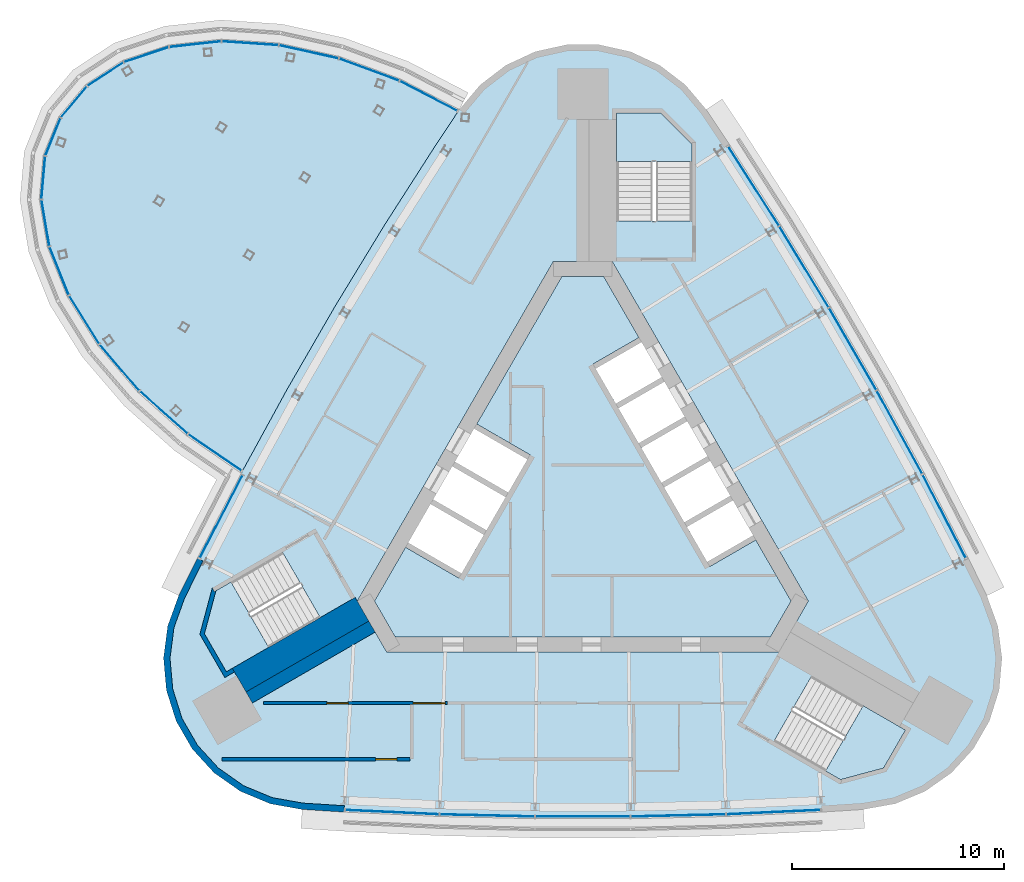
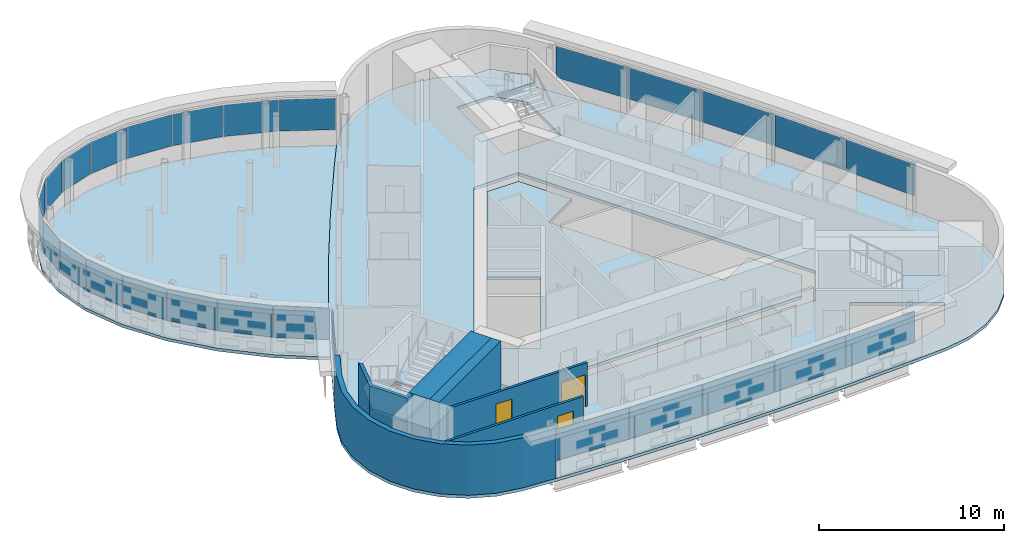
# One storey, part 8 of 13: 27 plates, 6 slabs, 6 walls, 3 doors, 3 openings, 7 elements without a shape of their own.
"""IFC4 building model written with IfcOpenShell, lengths in metres."""

from ifc_helpers import new_model, si_unit, direction, frame, frame_2d, origin, origin_2d, place, context, subcontext, project, spatial, polyline, rectangle, outline, extrude, material, layer, layer_set, type_object, element, fill, aggregate, save


model = new_model("IFC4")

# Units and contexts
model_context = context("Model", 3, precision=1e-05, world=origin(), true_north=direction((0.0, 1.0)))
body_context = subcontext(model_context, "Body", "Model", "MODEL_VIEW")
ifc_project = project(units=[si_unit("LENGTHUNIT", "METRE"), si_unit("AREAUNIT", "SQUARE_METRE"), si_unit("VOLUMEUNIT", "CUBIC_METRE"), si_unit("PLANEANGLEUNIT", "RADIAN"), si_unit("MASSUNIT", "GRAM", prefix="KILO")], contexts=[model_context])

# Site, building, storey
site_placement = place(None, origin())
site = spatial("IfcSite", under=ifc_project, at=site_placement, CompositionType="ELEMENT")
building_placement = place(site_placement, origin())
building = spatial("IfcBuilding", under=site, at=building_placement, Name="Noor Cloister Tower", CompositionType="ELEMENT")
storey_placement = place(building_placement, frame((0.0, 0.0, 263.39990234375)))
storey = spatial("IfcBuildingStorey", under=building, at=storey_placement, Name="L67", CompositionType="ELEMENT", Elevation=263.39990234375)

# Slabs
ifc_material_1 = material(Name="Concrete C40/50", Category="concrete")
ifc_layer_1 = layer(ifc_material_1, 0.199951171875)
ifc_layer_set_1 = layer_set([ifc_layer_1], Name="Core floor slab 200 C40/50")
slab_type_1 = type_object("IfcSlabType", Name="Core floor slab 200 C40/50", PredefinedType="FLOOR", material=ifc_layer_set_1)
slab_1_placement = place(storey_placement, frame((0.0, 0.0, -0.199951171875)))
element("IfcSlab", 1, at=slab_1_placement, inside=storey, type_object=slab_type_1, Name="Core floor L67", PredefinedType="FLOOR", context=body_context, shape_type="SweptSolid", body=[
    extrude(outline(polyline([(2.643798828125, 7.877197265625), (0.9814453125, 10.75634765625), (-0.9814453125, 10.75634765625), (-4.993896484375, 3.806884765625), (-2.482421875, 2.35693359375), (-5.832275390625, -3.4453125), (-8.34375, -1.995361328125), (-9.80615234375, -4.5283203125), (-8.82470703125, -6.228271484375), (8.82470703125, -6.228271484375), (9.80615234375, -4.5283203125), (8.143798828125, -1.64892578125), (5.978759765625, -2.89892578125), (0.478759765625, 6.627197265625), (2.643798828125, 7.877197265625)])), origin(), (0.0, 0.0, 1.0), 0.199951171875),
])
ifc_material_2 = material(Name="Concrete C40/50", Category="concrete")
ifc_layer_2 = layer(ifc_material_2, 0.199951171875)
ifc_layer_set_2 = layer_set([ifc_layer_2], Name="Floor slab 200 C40/50")
slab_type_2 = type_object("IfcSlabType", Name="Floor slab 200 C40/50", PredefinedType="FLOOR", material=ifc_layer_set_2)
slab_2_placement = place(storey_placement, frame((0.0, 0.0, -0.199951171875)))
element("IfcSlab", 2, at=slab_2_placement, inside=storey, type_object=slab_type_2, Name="Floor slab L67", PredefinedType="FLOOR", context=body_context, shape_type="SweptSolid", body=[
    extrude(outline(polyline([(5.809814453125, 18.609619140625), (4.830078125, 19.771484375), (3.62255859375, 20.69482421875), (2.244140625, 21.33544921875), (0.760009765625, 21.66357421875), (-0.760009765625, 21.66357421875), (-2.244140625, 21.33544921875), (-3.62255859375, 20.69482421875), (-4.830078125, 19.771484375), (-5.809814453125, 18.609619140625), (-6.9013671875, 16.967529296875), (-9.32958984375, 13.178955078125), (-11.669189453125, 9.335205078125), (-13.919189453125, 5.438232421875), (-16.078125, 1.489990234375), (-18.14501953125, -2.507080078125), (-19.021240234375, -4.2734375), (-19.53759765625, -5.702880859375), (-19.7333984375, -7.210205078125), (-19.59912109375, -8.724365234375), (-19.14111328125, -10.173583984375), (-18.381103515625, -11.489990234375), (-17.35498046875, -12.611083984375), (-16.11083984375, -13.484619140625), (-14.707763671875, -14.068603515625), (-13.21142578125, -14.336181640625), (-11.24365234375, -14.46044921875), (-6.74853515625, -14.669189453125), (-2.25, -14.7734375), (2.25, -14.7734375), (6.74853515625, -14.669189453125), (11.24365234375, -14.46044921875), (13.21142578125, -14.336181640625), (14.707763671875, -14.068603515625), (16.11083984375, -13.484619140625), (17.35498046875, -12.611083984375), (18.381103515625, -11.489990234375), (19.14111328125, -10.173583984375), (19.59912109375, -8.724365234375), (19.7333984375, -7.210205078125), (19.53759765625, -5.702880859375), (19.021240234375, -4.2734375), (18.14501953125, -2.507080078125), (16.078125, 1.489990234375), (13.919189453125, 5.438232421875), (11.669189453125, 9.335205078125), (9.32958984375, 13.178955078125), (6.9013671875, 16.967529296875), (5.809814453125, 18.609619140625)]), holes=[polyline([(8.999755859375, -11.126220703125), (12.131591796875, -12.934326171875), (14.1572265625, -12.3916015625), (15.19091796875, -10.601318359375), (10.774658203125, -8.0517578125), (8.999755859375, -11.126220703125)]), polyline([(-17.81005859375, -6.064697265625), (-16.776611328125, -7.85498046875), (-12.3603515625, -5.305419921875), (-14.13525390625, -2.23095703125), (-16.662841796875, -3.690185546875), (-17.267333984375, -4.039306640625), (-17.81005859375, -6.064697265625)]), polyline([(-10.6142578125, -4.5283203125), (-9.228759765625, -6.92822265625), (9.228759765625, -6.92822265625), (10.6142578125, -4.5283203125), (1.3857421875, 11.456298828125), (-1.3857421875, 11.456298828125), (-10.6142578125, -4.5283203125)]), polyline([(3.65283203125, 18.456298828125), (1.585693359375, 18.456298828125), (1.585693359375, 13.35693359375), (5.135498046875, 13.35693359375), (5.135498046875, 16.9736328125), (3.65283203125, 18.456298828125)])]), origin(), (0.0, 0.0, 1.0), 0.199951171875),
])

# Curtain wall, plate
ifc_material_3 = material(Name="Aluminium 6063-T6 anodised", Category="aluminium")
curtain_wall_type_1 = type_object("IfcCurtainWallType", Name="Ribbon curtain wall, upper tower CW5", PredefinedType="NOTDEFINED", material=ifc_material_3)
curtain_wall_1_placement = place(storey_placement, origin())
curtain_wall_1 = element("IfcCurtainWall", 3, at=curtain_wall_1_placement, inside=storey, type_object=curtain_wall_type_1, Name="CW5 L67 NW run 2", PredefinedType="NOTDEFINED")
ifc_material_4 = material(Name="Clear laminated glass 2 x 8 mm", Category="glass")
ifc_layer_3 = layer(ifc_material_4, 0.028076171875)
ifc_layer_set_3 = layer_set([ifc_layer_3], Name="Glass panel CW5")
plate_type_1 = type_object("IfcPlateType", Name="Glass panel CW5", PredefinedType="CURTAIN_PANEL", material=ifc_layer_set_3)
plate_1_placement = place(storey_placement, frame((-17.022705078125, -0.554443359375, 1.08984375), z_axis=(0.0, 0.0, 1.0), x_axis=(-0.459306247842, -0.888277980529, 0.0)))
plate_1 = element("IfcPlate", 4, at=plate_1_placement, type_object=plate_type_1, Name="CW5 glass panel 1", PredefinedType="CURTAIN_PANEL", context=body_context, shape_type="SweptSolid", body=[
    extrude(rectangle(XDim=4.3798828125, YDim=0.028076171875, at=origin_2d()), origin(), (0.0, 0.0, 1.0), 2.070068359375),
])
aggregate(curtain_wall_1, [plate_1])

# Curtain wall, plates
curtain_wall_2_placement = place(storey_placement, origin())
curtain_wall_2 = element("IfcCurtainWall", 5, at=curtain_wall_2_placement, inside=storey, type_object=curtain_wall_type_1, Name="CW5 L67 S run 3", PredefinedType="NOTDEFINED")
plate_2_placement = place(storey_placement, frame((-8.974609375, -14.465576171875, 1.08984375), z_axis=(0.0, 0.0, 1.0), x_axis=(0.998924420682, -0.046368111516, 0.0)))
plate_2 = element("IfcPlate", 6, at=plate_2_placement, type_object=plate_type_1, Name="CW5 glass panel 1", PredefinedType="CURTAIN_PANEL", context=body_context, shape_type="SweptSolid", body=[
    extrude(rectangle(XDim=4.413818359375, YDim=0.028076171875, at=origin_2d()), origin(), (0.0, 0.0, 1.0), 2.070068359375),
])
plate_3_placement = place(storey_placement, frame((-4.4970703125, -14.621337890625, 1.08984375), z_axis=(0.0, 0.0, 1.0), x_axis=(0.999731069009, -0.023190292346, 0.0)))
plate_3 = element("IfcPlate", 7, at=plate_3_placement, type_object=plate_type_1, Name="CW5 glass panel 2", PredefinedType="CURTAIN_PANEL", context=body_context, shape_type="SweptSolid", body=[
    extrude(rectangle(XDim=4.447509765625, YDim=0.028076171875, at=origin_2d()), origin(), (0.0, 0.0, 1.0), 2.070068359375),
])
plate_4_placement = place(storey_placement, frame((0.0, -14.673583984375, 1.08984375), z_axis=(0.0, 0.0, 1.0), x_axis=(1.0, 0.0, 0.0)))
plate_4 = element("IfcPlate", 8, at=plate_4_placement, type_object=plate_type_1, Name="CW5 glass panel 3", PredefinedType="CURTAIN_PANEL", context=body_context, shape_type="SweptSolid", body=[
    extrude(rectangle(XDim=4.447509765625, YDim=0.028076171875, at=origin_2d()), origin(), (0.0, 0.0, 1.0), 2.070068359375),
])
plate_5_placement = place(storey_placement, frame((4.4970703125, -14.621337890625, 1.08984375), z_axis=(0.0, 0.0, 1.0), x_axis=(0.999731069009, 0.023190292346, 0.0)))
plate_5 = element("IfcPlate", 9, at=plate_5_placement, type_object=plate_type_1, Name="CW5 glass panel 4", PredefinedType="CURTAIN_PANEL", context=body_context, shape_type="SweptSolid", body=[
    extrude(rectangle(XDim=4.447509765625, YDim=0.028076171875, at=origin_2d()), origin(), (0.0, 0.0, 1.0), 2.070068359375),
])
plate_6_placement = place(storey_placement, frame((8.974609375, -14.465576171875, 1.08984375), z_axis=(0.0, 0.0, 1.0), x_axis=(0.998924420682, 0.046368111516, 0.0)))
plate_6 = element("IfcPlate", 10, at=plate_6_placement, type_object=plate_type_1, Name="CW5 glass panel 5", PredefinedType="CURTAIN_PANEL", context=body_context, shape_type="SweptSolid", body=[
    extrude(rectangle(XDim=4.413818359375, YDim=0.028076171875, at=origin_2d()), origin(), (0.0, 0.0, 1.0), 2.070068359375),
])
aggregate(curtain_wall_2, [plate_2, plate_3, plate_4, plate_5, plate_6])

curtain_wall_3_placement = place(storey_placement, origin())
curtain_wall_3 = element("IfcCurtainWall", 11, at=curtain_wall_3_placement, inside=storey, type_object=curtain_wall_type_1, Name="CW5 L67 NE run 4", PredefinedType="NOTDEFINED")
plate_7_placement = place(storey_placement, frame((17.014892578125, -0.539306640625, 1.08984375), z_axis=(0.0, 0.0, 1.0), x_axis=(-0.459306247842, 0.888277980529, 0.0)))
plate_7 = element("IfcPlate", 12, at=plate_7_placement, type_object=plate_type_1, Name="CW5 glass panel 1", PredefinedType="CURTAIN_PANEL", context=body_context, shape_type="SweptSolid", body=[
    extrude(rectangle(XDim=4.413818359375, YDim=0.028076171875, at=origin_2d()), origin(), (0.0, 0.0, 1.0), 2.070068359375),
])
plate_8_placement = place(storey_placement, frame((14.910888671875, 3.416259765625, 1.08984375), z_axis=(0.0, 0.0, 1.0), x_axis=(-0.479782152211, 0.877387648887, 0.0)))
plate_8 = element("IfcPlate", 13, at=plate_8_placement, type_object=plate_type_1, Name="CW5 glass panel 2", PredefinedType="CURTAIN_PANEL", context=body_context, shape_type="SweptSolid", body=[
    extrude(rectangle(XDim=4.447509765625, YDim=0.028076171875, at=origin_2d()), origin(), (0.0, 0.0, 1.0), 2.070068359375),
])
plate_9_placement = place(storey_placement, frame((12.70751953125, 7.336669921875, 1.08984375), z_axis=(0.0, 0.0, 1.0), x_axis=(-0.5, 0.866025403784, 0.0)))
plate_9 = element("IfcPlate", 14, at=plate_9_placement, type_object=plate_type_1, Name="CW5 glass panel 3", PredefinedType="CURTAIN_PANEL", context=body_context, shape_type="SweptSolid", body=[
    extrude(rectangle(XDim=4.447509765625, YDim=0.028076171875, at=origin_2d()), origin(), (0.0, 0.0, 1.0), 2.070068359375),
])
plate_10_placement = place(storey_placement, frame((10.4140625, 11.205078125, 1.08984375), z_axis=(0.0, 0.0, 1.0), x_axis=(-0.519948916797, 0.854197356541, 0.0)))
plate_10 = element("IfcPlate", 15, at=plate_10_placement, type_object=plate_type_1, Name="CW5 glass panel 4", PredefinedType="CURTAIN_PANEL", context=body_context, shape_type="SweptSolid", body=[
    extrude(rectangle(XDim=4.447509765625, YDim=0.028076171875, at=origin_2d()), origin(), (0.0, 0.0, 1.0), 2.070068359375),
])
plate_11_placement = place(storey_placement, frame((8.040283203125, 15.005126953125, 1.08984375), z_axis=(0.0, 0.0, 1.0), x_axis=(-0.539618172839, 0.841909869013, 0.0)))
plate_11 = element("IfcPlate", 16, at=plate_11_placement, type_object=plate_type_1, Name="CW5 glass panel 5", PredefinedType="CURTAIN_PANEL", context=body_context, shape_type="SweptSolid", body=[
    extrude(rectangle(XDim=4.413818359375, YDim=0.028076171875, at=origin_2d()), origin(), (0.0, 0.0, 1.0), 2.070068359375),
])
aggregate(curtain_wall_3, [plate_7, plate_8, plate_9, plate_10, plate_11])

ifc_material_5 = material(Name="Aluminium 6063-T6 anodised", Category="aluminium")
curtain_wall_type_2 = type_object("IfcCurtainWallType", Name="Sky bar curtain wall, upper bars CW6", PredefinedType="NOTDEFINED", material=ifc_material_5)
curtain_wall_4_placement = place(storey_placement, origin())
curtain_wall_4 = element("IfcCurtainWall", 17, at=curtain_wall_4_placement, inside=storey, type_object=curtain_wall_type_2, Name="CW6 L67 NW sky bar run 1", PredefinedType="NOTDEFINED")
ifc_material_6 = material(Name="Clear laminated glass 2 x 8 mm", Category="glass")
ifc_layer_4 = layer(ifc_material_6, 0.028076171875)
ifc_layer_set_4 = layer_set([ifc_layer_4], Name="Glass panel CW6")
plate_type_2 = type_object("IfcPlateType", Name="Glass panel CW6", PredefinedType="CURTAIN_PANEL", material=ifc_layer_set_4)
plate_12_placement = place(storey_placement, frame((-7.25634765625, 19.248046875, 1.08984375), z_axis=(0.0, 0.0, 1.0), x_axis=(-0.887497668843, 0.46081220448, 0.0)))
plate_12 = element("IfcPlate", 18, at=plate_12_placement, type_object=plate_type_2, Name="CW6 glass panel 1", PredefinedType="CURTAIN_PANEL", context=body_context, shape_type="SweptSolid", body=[
    extrude(rectangle(XDim=3.035888671875, YDim=0.028076171875, at=origin_2d()), origin(), (0.0, 0.0, 1.0), 2.070068359375),
])
plate_13_placement = place(storey_placement, frame((-10.052734375, 20.485107421875, 1.08984375), z_axis=(0.0, 0.0, 1.0), x_axis=(-0.938254127528, 0.345946805414, 0.0)))
plate_13 = element("IfcPlate", 19, at=plate_13_placement, type_object=plate_type_2, Name="CW6 glass panel 2", PredefinedType="CURTAIN_PANEL", context=body_context, shape_type="SweptSolid", body=[
    extrude(rectangle(XDim=2.991455078125, YDim=0.028076171875, at=origin_2d()), origin(), (0.0, 0.0, 1.0), 2.070068359375),
])
plate_14_placement = place(storey_placement, frame((-12.89599609375, 21.32568359375, 1.08984375), z_axis=(0.0, 0.0, 1.0), x_axis=(-0.976240868082, 0.21668818031, 0.0)))
plate_14 = element("IfcPlate", 20, at=plate_14_placement, type_object=plate_type_2, Name="CW6 glass panel 3", PredefinedType="CURTAIN_PANEL", context=body_context, shape_type="SweptSolid", body=[
    extrude(rectangle(XDim=2.851318359375, YDim=0.028076171875, at=origin_2d()), origin(), (0.0, 0.0, 1.0), 2.070068359375),
])
plate_15_placement = place(storey_placement, frame((-15.6630859375, 21.730712890625, 1.08984375), z_axis=(0.0, 0.0, 1.0), x_axis=(-0.997749888553, 0.067045953586, 0.0)))
plate_15 = element("IfcPlate", 21, at=plate_15_placement, type_object=plate_type_2, Name="CW6 glass panel 4", PredefinedType="CURTAIN_PANEL", context=body_context, shape_type="SweptSolid", body=[
    extrude(rectangle(XDim=2.6572265625, YDim=0.028076171875, at=origin_2d()), origin(), (0.0, 0.0, 1.0), 2.070068359375),
])
plate_16_placement = place(storey_placement, frame((-18.24609375, 21.685791015625, 1.08984375), z_axis=(0.0, 0.0, 1.0), x_axis=(-0.993990018524, -0.109470740724, 0.0)))
plate_16 = element("IfcPlate", 22, at=plate_16_placement, type_object=plate_type_2, Name="CW6 glass panel 5", PredefinedType="CURTAIN_PANEL", context=body_context, shape_type="SweptSolid", body=[
    extrude(rectangle(XDim=2.4296875, YDim=0.028076171875, at=origin_2d()), origin(), (0.0, 0.0, 1.0), 2.070068359375),
])
plate_17_placement = place(storey_placement, frame((-20.545166015625, 21.194091796875, 1.08984375), z_axis=(0.0, 0.0, 1.0), x_axis=(-0.948576733439, -0.316547280479, 0.0)))
plate_17 = element("IfcPlate", 23, at=plate_17_placement, type_object=plate_type_2, Name="CW6 glass panel 6", PredefinedType="CURTAIN_PANEL", context=body_context, shape_type="SweptSolid", body=[
    extrude(rectangle(XDim=2.198486328125, YDim=0.028076171875, at=origin_2d()), origin(), (0.0, 0.0, 1.0), 2.070068359375),
])
plate_18_placement = place(storey_placement, frame((-22.47216796875, 20.277099609375, 1.08984375), z_axis=(0.0, 0.0, 1.0), x_axis=(-0.837596619091, -0.546289212493, 0.0)))
plate_18 = element("IfcPlate", 24, at=plate_18_placement, type_object=plate_type_2, Name="CW6 glass panel 7", PredefinedType="CURTAIN_PANEL", context=body_context, shape_type="SweptSolid", body=[
    extrude(rectangle(XDim=2.003662109375, YDim=0.028076171875, at=origin_2d()), origin(), (0.0, 0.0, 1.0), 2.070068359375),
])
plate_19_placement = place(storey_placement, frame((-23.955322265625, 18.971923828125, 1.08984375), z_axis=(0.0, 0.0, 1.0), x_axis=(-0.641814933059, -0.766859564524, 0.0)))
plate_19 = element("IfcPlate", 25, at=plate_19_placement, type_object=plate_type_2, Name="CW6 glass panel 8", PredefinedType="CURTAIN_PANEL", context=body_context, shape_type="SweptSolid", body=[
    extrude(rectangle(XDim=1.889892578125, YDim=0.028076171875, at=origin_2d()), origin(), (0.0, 0.0, 1.0), 2.070068359375),
])
plate_20_placement = place(storey_placement, frame((-24.94140625, 17.327880859375, 1.08984375), z_axis=(0.0, 0.0, 1.0), x_axis=(-0.374343937859, -0.927289931029, 0.0)))
plate_20 = element("IfcPlate", 26, at=plate_20_placement, type_object=plate_type_2, Name="CW6 glass panel 9", PredefinedType="CURTAIN_PANEL", context=body_context, shape_type="SweptSolid", body=[
    extrude(rectangle(XDim=1.889892578125, YDim=0.028076171875, at=origin_2d()), origin(), (0.0, 0.0, 1.0), 2.070068359375),
])
plate_21_placement = place(storey_placement, frame((-25.394775390625, 15.40478515625, 1.08984375), z_axis=(0.0, 0.0, 1.0), x_axis=(-0.087570690392, -0.996158307793, 0.0)))
plate_21 = element("IfcPlate", 27, at=plate_21_placement, type_object=plate_type_2, Name="CW6 glass panel 10", PredefinedType="CURTAIN_PANEL", context=body_context, shape_type="SweptSolid", body=[
    extrude(rectangle(XDim=2.003662109375, YDim=0.028076171875, at=origin_2d()), origin(), (0.0, 0.0, 1.0), 2.070068359375),
])
plate_22_placement = place(storey_placement, frame((-25.29638671875, 13.27294921875, 1.08984375), z_axis=(0.0, 0.0, 1.0), x_axis=(0.167365795308, -0.985894867905, 0.0)))
plate_22 = element("IfcPlate", 28, at=plate_22_placement, type_object=plate_type_2, Name="CW6 glass panel 11", PredefinedType="CURTAIN_PANEL", context=body_context, shape_type="SweptSolid", body=[
    extrude(rectangle(XDim=2.198486328125, YDim=0.028076171875, at=origin_2d()), origin(), (0.0, 0.0, 1.0), 2.070068359375),
])
plate_23_placement = place(storey_placement, frame((-24.647705078125, 11.01318359375, 1.08984375), z_axis=(0.0, 0.0, 1.0), x_axis=(0.371434842815, -0.928459023082, 0.0)))
plate_23 = element("IfcPlate", 29, at=plate_23_placement, type_object=plate_type_2, Name="CW6 glass panel 12", PredefinedType="CURTAIN_PANEL", context=body_context, shape_type="SweptSolid", body=[
    extrude(rectangle(XDim=2.4296875, YDim=0.028076171875, at=origin_2d()), origin(), (0.0, 0.0, 1.0), 2.070068359375),
])
plate_24_placement = place(storey_placement, frame((-23.470947265625, 8.713134765625, 1.08984375), z_axis=(0.0, 0.0, 1.0), x_axis=(0.528931307752, -0.848664640291, 0.0)))
plate_24 = element("IfcPlate", 30, at=plate_24_placement, type_object=plate_type_2, Name="CW6 glass panel 13", PredefinedType="CURTAIN_PANEL", context=body_context, shape_type="SweptSolid", body=[
    extrude(rectangle(XDim=2.6572265625, YDim=0.028076171875, at=origin_2d()), origin(), (0.0, 0.0, 1.0), 2.070068359375),
])
plate_25_placement = place(storey_placement, frame((-21.810791015625, 6.462890625, 1.08984375), z_axis=(0.0, 0.0, 1.0), x_axis=(0.650820994829, -0.759231211615, 0.0)))
plate_25 = element("IfcPlate", 31, at=plate_25_placement, type_object=plate_type_2, Name="CW6 glass panel 14", PredefinedType="CURTAIN_PANEL", context=body_context, shape_type="SweptSolid", body=[
    extrude(rectangle(XDim=2.851318359375, YDim=0.028076171875, at=origin_2d()), origin(), (0.0, 0.0, 1.0), 2.070068359375),
])
plate_26_placement = place(storey_placement, frame((-19.730712890625, 4.35009765625, 1.08984375), z_axis=(0.0, 0.0, 1.0), x_axis=(0.746969510191, -0.664858293808, 0.0)))
plate_26 = element("IfcPlate", 32, at=plate_26_placement, type_object=plate_type_2, Name="CW6 glass panel 15", PredefinedType="CURTAIN_PANEL", context=body_context, shape_type="SweptSolid", body=[
    extrude(rectangle(XDim=2.991455078125, YDim=0.028076171875, at=origin_2d()), origin(), (0.0, 0.0, 1.0), 2.070068359375),
])
plate_27_placement = place(storey_placement, frame((-17.322509765625, 2.465576171875, 1.08984375), z_axis=(0.0, 0.0, 1.0), x_axis=(0.824407561067, -0.565996619473, 0.0)))
plate_27 = element("IfcPlate", 33, at=plate_27_placement, type_object=plate_type_2, Name="CW6 glass panel 16", PredefinedType="CURTAIN_PANEL", context=body_context, shape_type="SweptSolid", body=[
    extrude(rectangle(XDim=3.035888671875, YDim=0.028076171875, at=origin_2d()), origin(), (0.0, 0.0, 1.0), 2.070068359375),
])
aggregate(curtain_wall_4, [plate_12, plate_13, plate_14, plate_15, plate_16, plate_17, plate_18, plate_19, plate_20, plate_21, plate_22, plate_23, plate_24, plate_25, plate_26, plate_27])

# Slab
ifc_material_7 = material(Name="Concrete C40/50", Category="concrete")
ifc_layer_5 = layer(ifc_material_7, 0.199951171875)
ifc_layer_set_5 = layer_set([ifc_layer_5], Name="Pod floor slab 200")
slab_type_3 = type_object("IfcSlabType", Name="Pod floor slab 200", PredefinedType="FLOOR", material=ifc_layer_set_5)
slab_3_placement = place(storey_placement, frame((0.0, 0.0, -0.199951171875)))
element("IfcSlab", 34, at=slab_3_placement, inside=storey, type_object=slab_type_3, Name="Pod floor slab L67", PredefinedType="FLOOR", context=body_context, shape_type="SweptSolid", body=[
    extrude(outline(polyline([(-5.809814453125, 18.609619140625), (-8.585205078125, 20.05078125), (-11.451416015625, 21.107421875), (-14.298095703125, 21.7392578125), (-17.015869140625, 21.921875), (-19.500244140625, 21.6484375), (-21.65576171875, 20.928955078125), (-23.399658203125, 19.79150390625), (-24.6650390625, 18.27978515625), (-25.403076171875, 16.45166015625), (-25.58544921875, 14.377685546875), (-25.205078125, 12.13720703125), (-24.276611328125, 9.816650390625), (-22.8359375, 7.5048828125), (-20.938232421875, 5.291015625), (-18.65625, 3.260009765625), (-16.078125, 1.489990234375), (-13.919189453125, 5.438232421875), (-11.669189453125, 9.335205078125), (-9.32958984375, 13.178955078125), (-6.9013671875, 16.967529296875), (-5.809814453125, 18.609619140625)])), origin(), (0.0, 0.0, 1.0), 0.199951171875),
])

# Stair, slab
ifc_material_8 = material(Name="Concrete C40/50", Category="concrete")
stair_type = type_object("IfcStairType", Name="Exit stair 22 risers", PredefinedType="HALF_TURN_STAIR", material=ifc_material_8)
stair_1_placement = place(storey_placement, origin())
stair_1 = element("IfcStair", 35, at=stair_1_placement, inside=storey, type_object=stair_type, Name="Exit stair ST1 L67", PredefinedType="HALF_TURN_STAIR")
ifc_material_9 = material(Name="Concrete C40/50", Category="concrete")
ifc_layer_6 = layer(ifc_material_9, 0.199951171875)
ifc_layer_set_6 = layer_set([ifc_layer_6], Name="Stair landing 200 C40/50")
slab_type_4 = type_object("IfcSlabType", Name="Stair landing 200 C40/50", PredefinedType="LANDING", material=ifc_layer_set_6)
slab_4_placement = place(storey_placement, frame((0.0, 0.0, 1.60009765625)))
slab_4 = element("IfcSlab", 36, at=slab_4_placement, type_object=slab_type_4, Name="ST1 landing 1", PredefinedType="LANDING", context=body_context, shape_type="SweptSolid", body=[
    extrude(outline(polyline([(5.135498046875, 16.15576171875), (5.135498046875, 16.9736328125), (3.65283203125, 18.456298828125), (1.585693359375, 18.456298828125), (1.585693359375, 16.15576171875), (5.135498046875, 16.15576171875)])), origin(), (0.0, 0.0, 1.0), 0.199951171875),
])
aggregate(stair_1, [slab_4])

stair_2_placement = place(storey_placement, origin())
stair_2 = element("IfcStair", 37, at=stair_2_placement, inside=storey, type_object=stair_type, Name="Exit stair ST2 L67", PredefinedType="HALF_TURN_STAIR")
slab_5_placement = place(storey_placement, frame((0.0, 0.0, 1.60009765625)))
slab_5 = element("IfcSlab", 38, at=slab_5_placement, type_object=slab_type_4, Name="ST2 landing 1", PredefinedType="LANDING", context=body_context, shape_type="SweptSolid", body=[
    extrude(outline(polyline([(-16.55908203125, -3.63037109375), (-17.267333984375, -4.039306640625), (-17.81005859375, -6.064697265625), (-16.776611328125, -7.85498046875), (-14.7841796875, -6.70458984375), (-16.55908203125, -3.63037109375)])), origin(), (0.0, 0.0, 1.0), 0.199951171875),
])
aggregate(stair_2, [slab_5])

stair_3_placement = place(storey_placement, origin())
stair_3 = element("IfcStair", 39, at=stair_3_placement, inside=storey, type_object=stair_type, Name="Exit stair ST3 L67", PredefinedType="HALF_TURN_STAIR")
slab_6_placement = place(storey_placement, frame((0.0, 0.0, 1.60009765625)))
slab_6 = element("IfcSlab", 40, at=slab_6_placement, type_object=slab_type_4, Name="ST3 landing 1", PredefinedType="LANDING", context=body_context, shape_type="SweptSolid", body=[
    extrude(outline(polyline([(11.423583984375, -12.525390625), (12.131591796875, -12.934326171875), (14.1572265625, -12.3916015625), (15.19091796875, -10.601318359375), (13.198486328125, -9.451171875), (11.423583984375, -12.525390625)])), origin(), (0.0, 0.0, 1.0), 0.199951171875),
])
aggregate(stair_3, [slab_6])

# Wall
ifc_material_10 = material(Name="Concrete C60/75", Category="concrete")
ifc_layer_7 = layer(ifc_material_10, 0.60009765625)
ifc_layer_set_7 = layer_set([ifc_layer_7], Name="Buttress wall 600 C60/75")
wall_type_1 = type_object("IfcWallType", Name="Buttress wall 600 C60/75", PredefinedType="SHEAR", material=ifc_layer_set_7)
wall_1_placement = place(storey_placement, frame((-9.921630859375, -5.728271484375, -0.199951171875), z_axis=(0.0, 0.0, 1.0), x_axis=(-0.866032176823, -0.499988268569, 0.0)))
element("IfcWall", 41, at=wall_1_placement, inside=storey, type_object=wall_type_1, Name="Buttress wall SW L67", PredefinedType="SHEAR", context=body_context, shape_type="SweptSolid", body=[
    extrude(rectangle(XDim=6.678466796875, YDim=0.60009765625, at=frame_2d((3.33935546875, 0.0))), origin(), (0.0, 0.0, 1.0), 3.60009765625),
])

# Wall, openings, doors
ifc_material_11 = material(Name="Gypsum board partition on steel studs, 150 mm", Category="steel")
ifc_layer_8 = layer(ifc_material_11, 0.14990234375)
ifc_layer_set_8 = layer_set([ifc_layer_8], Name="Flat wall 150")
wall_type_2 = type_object("IfcWallType", Name="Flat wall 150", PredefinedType="PARTITIONING", material=ifc_layer_set_8)
wall_2_placement = place(storey_placement, frame((-15.03515625, -9.328125, 0.0), z_axis=(0.0, 0.0, 1.0), x_axis=(1.0, 0.0, 0.0)))
wall_2 = element("IfcWall", 42, at=wall_2_placement, inside=storey, type_object=wall_type_2, Name="Wall L67-W11", PredefinedType="PARTITIONING", context=body_context, shape_type="SweptSolid", body=[
    extrude(rectangle(XDim=8.672607421875, YDim=0.14990234375, at=frame_2d((4.33642578125, 0.0))), origin(), (0.0, 0.0, 1.0), 2.85205078125),
])
opening_1_placement = place(wall_2_placement, frame((7.051513671875, 0.0, 0.0)))
opening_1 = element("IfcOpeningElement", 43, at=opening_1_placement, cuts=wall_2, Name="Opening L67-007", PredefinedType="OPENING", context=body_context, shape_type="SweptSolid", body=[
    extrude(rectangle(XDim=1.5, YDim=2.10009765625, at=frame_2d((0.75, 1.050048828125))), frame((0.0, 0.0849609375, 0.0), z_axis=(0.0, -1.0, 0.0), x_axis=(1.0, 0.0, 0.0)), (0.0, 0.0, 1.0), 0.169921875),
])
opening_2_placement = place(wall_2_placement, frame((2.990234375, 0.0, 0.0)))
opening_2 = element("IfcOpeningElement", 44, at=opening_2_placement, cuts=wall_2, Name="Opening L67-009", PredefinedType="OPENING", context=body_context, shape_type="SweptSolid", body=[
    extrude(rectangle(XDim=1.0, YDim=2.10009765625, at=frame_2d((0.5, 1.050048828125))), frame((0.0, 0.0849609375, 0.0), z_axis=(0.0, -1.0, 0.0), x_axis=(1.0, 0.0, 0.0)), (0.0, 0.0, 1.0), 0.169921875),
])
ifc_material_12 = material(Name="Timber door leaf with steel frame", Category="steel")
door_type_1 = type_object("IfcDoorType", Name="Double door 1500 FD60", OperationType="NOTDEFINED", PredefinedType="DOOR", material=ifc_material_12)
door_1_placement = place(opening_1_placement, origin())
door_1 = element("IfcDoor", 45, at=door_1_placement, inside=storey, type_object=door_type_1, Name="Door L67-007", OperationType="DOUBLE_DOOR_SINGLE_SWING", OverallHeight=2.10009765625, OverallWidth=1.5, PredefinedType="DOOR", context=body_context, shape_type="SweptSolid", body=[
    extrude(rectangle(XDim=1.5, YDim=2.10009765625, at=frame_2d((0.75, 1.050048828125))), frame((0.0, 0.02490234375, 0.0), z_axis=(0.0, -1.0, 0.0), x_axis=(1.0, 0.0, 0.0)), (0.0, 0.0, 1.0), 0.050048828125),
])
fill(opening_1, door_1)
ifc_material_13 = material(Name="Timber door leaf with steel frame", Category="steel")
door_type_2 = type_object("IfcDoorType", Name="Interior door 1000 FD60", OperationType="NOTDEFINED", PredefinedType="DOOR", material=ifc_material_13)
door_2_placement = place(opening_2_placement, origin())
door_2 = element("IfcDoor", 46, at=door_2_placement, inside=storey, type_object=door_type_2, Name="Door L67-009", OperationType="SINGLE_SWING_LEFT", OverallHeight=2.10009765625, OverallWidth=1.0, PredefinedType="DOOR", context=body_context, shape_type="SweptSolid", body=[
    extrude(rectangle(XDim=1.0, YDim=2.10009765625, at=frame_2d((0.5, 1.050048828125))), frame((0.0, 0.02490234375, 0.0), z_axis=(0.0, -1.0, 0.0), x_axis=(1.0, 0.0, 0.0)), (0.0, 0.0, 1.0), 0.050048828125),
])
fill(opening_2, door_2)

# Wall, opening, door
wall_3_placement = place(storey_placement, frame((-16.990966796875, -11.97216796875, 0.0), z_axis=(0.0, 0.0, 1.0), x_axis=(1.0, 0.0, 0.0)))
wall_3 = element("IfcWall", 47, at=wall_3_placement, inside=storey, type_object=wall_type_2, Name="Wall L67-W17", PredefinedType="PARTITIONING", context=body_context, shape_type="SweptSolid", body=[
    extrude(rectangle(XDim=8.861083984375, YDim=0.14990234375, at=frame_2d((4.4306640625, 0.0))), origin(), (0.0, 0.0, 1.0), 2.85205078125),
])
opening_3_placement = place(wall_3_placement, frame((7.236083984375, 0.0, 0.0)))
opening_3 = element("IfcOpeningElement", 48, at=opening_3_placement, cuts=wall_3, Name="Opening L67-008", PredefinedType="OPENING", context=body_context, shape_type="SweptSolid", body=[
    extrude(rectangle(XDim=1.0, YDim=2.10009765625, at=frame_2d((0.5, 1.050048828125))), frame((0.0, 0.0849609375, 0.0), z_axis=(0.0, -1.0, 0.0), x_axis=(1.0, 0.0, 0.0)), (0.0, 0.0, 1.0), 0.169921875),
])
door_3_placement = place(opening_3_placement, origin())
door_3 = element("IfcDoor", 49, at=door_3_placement, inside=storey, type_object=door_type_2, Name="Door L67-008", OperationType="SINGLE_SWING_RIGHT", OverallHeight=2.10009765625, OverallWidth=1.0, PredefinedType="DOOR", context=body_context, shape_type="SweptSolid", body=[
    extrude(rectangle(XDim=1.0, YDim=2.10009765625, at=frame_2d((0.5, 1.050048828125))), frame((0.0, 0.02490234375, 0.0), z_axis=(0.0, -1.0, 0.0), x_axis=(1.0, 0.0, 0.0)), (0.0, 0.0, 1.0), 0.050048828125),
])
fill(opening_3, door_3)

# Walls
ifc_material_14 = material(Name="Limestone", Category="masonry")
ifc_layer_9 = layer(ifc_material_14, 0.300048828125)
ifc_layer_set_9 = layer_set([ifc_layer_9], Name="Limestone cladding 300")
wall_type_3 = type_object("IfcWallType", Name="Limestone cladding 300", PredefinedType="NOTDEFINED", material=ifc_layer_set_9)
wall_4_placement = place(storey_placement, origin())
element("IfcWall", 50, at=wall_4_placement, inside=storey, type_object=wall_type_3, Name="Limestone pier cladding L67 1.1", PredefinedType="NOTDEFINED", context=body_context, shape_type="SweptSolid", body=[
    extrude(outline(polyline([(-18.14501953125, -2.507080078125), (-19.021240234375, -4.2734375), (-19.53759765625, -5.702880859375), (-19.7333984375, -7.210205078125), (-19.59912109375, -8.724365234375), (-19.14111328125, -10.173583984375), (-18.381103515625, -11.489990234375), (-17.35498046875, -12.611083984375), (-16.11083984375, -13.484619140625), (-14.707763671875, -14.068603515625), (-13.21142578125, -14.336181640625), (-11.24365234375, -14.46044921875), (-11.224853515625, -14.1611328125), (-13.175537109375, -14.037841796875), (-14.62255859375, -13.779052734375), (-15.96533203125, -13.22021484375), (-17.15576171875, -12.384521484375), (-18.1376953125, -11.3115234375), (-18.864990234375, -10.052001953125), (-19.30322265625, -8.6650390625), (-19.431640625, -7.21630859375), (-19.244384765625, -5.77392578125), (-18.744873046875, -4.391357421875), (-17.876220703125, -2.640380859375), (-18.14501953125, -2.507080078125)])), origin(), (0.0, 0.0, 1.0), 3.300048828125),
])
ifc_material_15 = material(Name="Concrete C60/75", Category="concrete")
ifc_layer_10 = layer(ifc_material_15, 1.285888671875)
ifc_layer_set_10 = layer_set([ifc_layer_10], Name="Stair enclosure wall 1286 C60/75")
wall_type_4 = type_object("IfcWallType", Name="Stair enclosure wall 1286 C60/75", PredefinedType="SHEAR", material=ifc_layer_set_10)
wall_5_placement = place(storey_placement, frame((-10.392822265625, -4.91162109375, -0.199951171875), z_axis=(0.0, 0.0, 1.0), x_axis=(-0.866025486527, -0.499999856685, 0.0)))
element("IfcWall", 51, at=wall_5_placement, inside=storey, type_object=wall_type_4, Name="Stair enclosure wall ST2 L67 riser side", PredefinedType="SHEAR", context=body_context, shape_type="SweptSolid", body=[
    extrude(rectangle(XDim=6.6787109375, YDim=1.28564453125, at=frame_2d((3.33935546875, 0.0))), origin(), (0.0, 0.0, 1.0), 3.60009765625),
])
ifc_material_16 = material(Name="Concrete C60/75", Category="concrete")
wall_type_5 = type_object("IfcWallType", Name="Stair far end wall C60/75", PredefinedType="SHEAR", material=ifc_material_16)
wall_6_placement = place(storey_placement, frame((0.0, 0.0, -0.199951171875)))
element("IfcWall", 52, at=wall_6_placement, inside=storey, type_object=wall_type_5, Name="Stair enclosure wall ST2 L67 far end", PredefinedType="SHEAR", context=body_context, shape_type="SweptSolid", body=[
    extrude(outline(polyline([(-17.439208984375, -3.907470703125), (-18.024658203125, -6.093017578125), (-16.849609375, -8.128173828125), (-16.398193359375, -7.867431640625), (-16.498291015625, -7.6943359375), (-16.498291015625, -7.6943359375), (-16.776611328125, -7.85498046875), (-17.81005859375, -6.064697265625), (-17.267333984375, -4.039306640625), (-17.339111328125, -4.08056640625), (-17.339111328125, -4.08056640625), (-17.339111328125, -4.08056640625), (-17.339111328125, -4.08056640625), (-17.339111328125, -4.08056640625), (-17.339111328125, -4.08056640625), (-17.339111328125, -4.08056640625), (-17.339111328125, -4.08056640625), (-17.339111328125, -4.08056640625), (-17.339111328125, -4.08056640625), (-17.339111328125, -4.08056640625), (-17.339111328125, -4.08056640625), (-17.339111328125, -4.08056640625), (-17.339111328125, -4.08056640625), (-17.339111328125, -4.08056640625), (-17.339111328125, -4.08056640625), (-17.339111328125, -4.08056640625), (-17.439208984375, -3.907470703125)])), origin(), (0.0, 0.0, 1.0), 3.60009765625),
])

save(model, "model.ifc")
